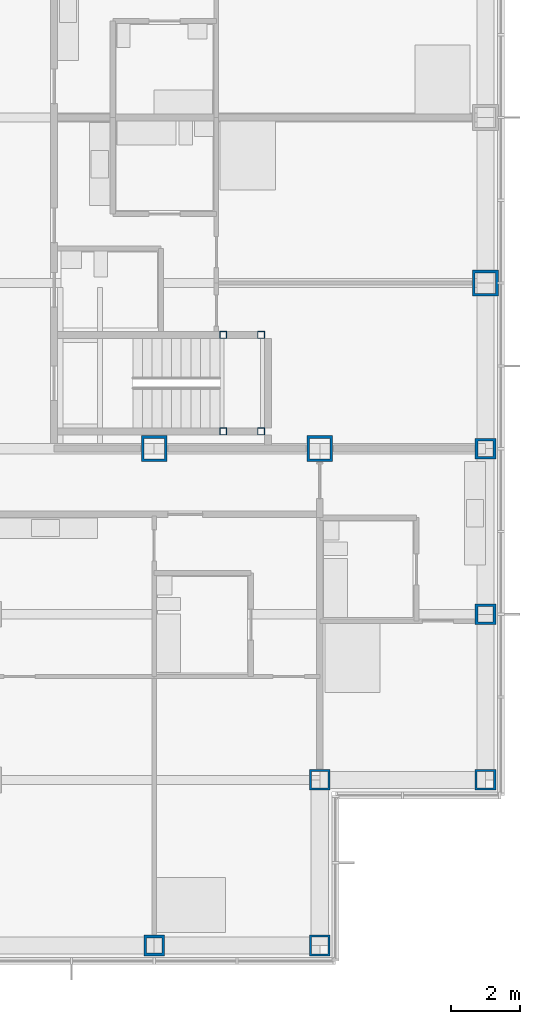
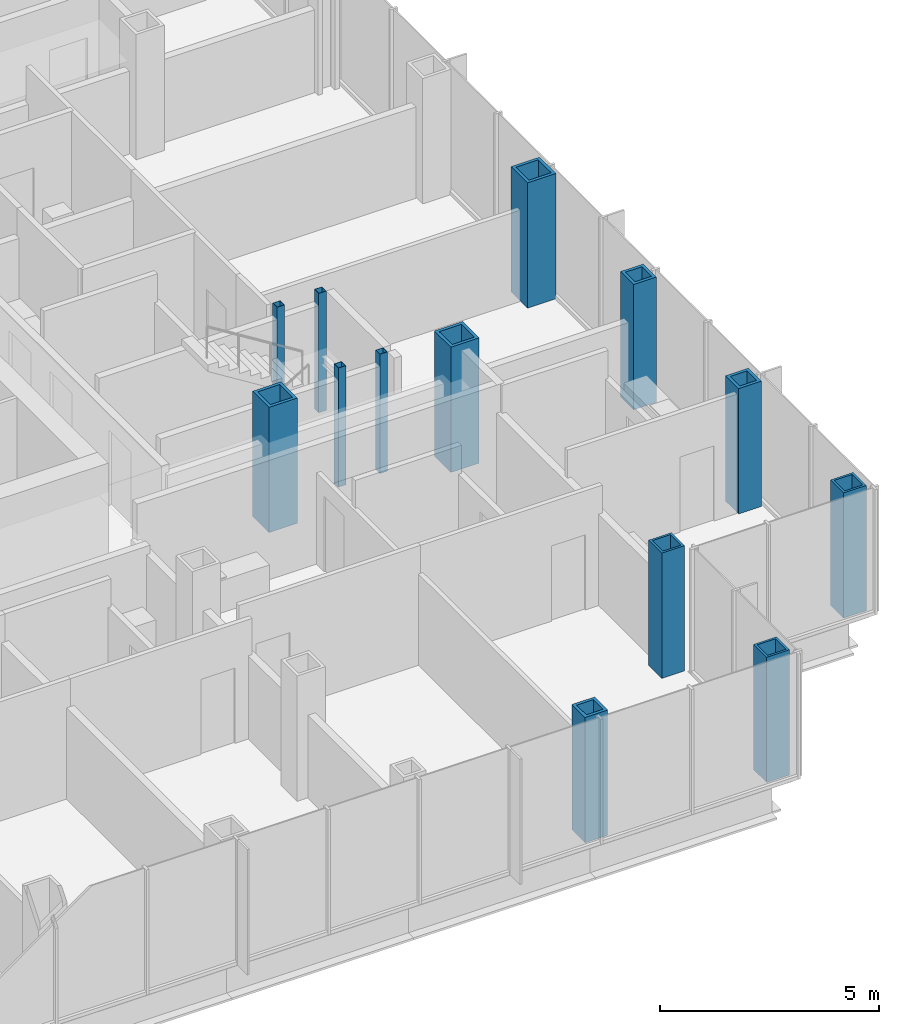
# One storey, part 4 of 21: 13 columns.
"""IFC4 building model written with IfcOpenShell, lengths in metres."""

from ifc_helpers import new_model, si_unit, direction, frame, origin, origin_2d, place, context, subcontext, project, spatial, hollow_rectangle, extrude, material, material_profile, profile_set, type_object, element, save


model = new_model("IFC4")

# Units and contexts
model_context = context("Model", 3, precision=1e-05, world=origin(), true_north=direction((0.0, 1.0)))
body_context = subcontext(model_context, "Body", "Model", "MODEL_VIEW")
ifc_project = project(units=[si_unit("LENGTHUNIT", "METRE"), si_unit("AREAUNIT", "SQUARE_METRE"), si_unit("VOLUMEUNIT", "CUBIC_METRE"), si_unit("PLANEANGLEUNIT", "RADIAN"), si_unit("MASSUNIT", "GRAM", prefix="KILO")], contexts=[model_context])

# Site, building, storey
site_placement = place(None, origin())
site = spatial("IfcSite", under=ifc_project, at=site_placement, CompositionType="ELEMENT")
building_placement = place(site_placement, origin())
building = spatial("IfcBuilding", under=site, at=building_placement, Name="Kvirike Care Tower", CompositionType="ELEMENT")
storey_placement = place(building_placement, frame((0.0, 0.0, 44.5)))
storey = spatial("IfcBuildingStorey", under=building, at=storey_placement, Name="L11", CompositionType="ELEMENT", Elevation=44.5)

# Columns
ifc_material_1 = material(Name="Steel S460", Category="steel")
ifc_material_profile_1 = material_profile(ifc_material_1, hollow_rectangle(XDim=0.60009765625, YDim=0.60009765625, WallThickness=0.06005859375, at=origin_2d()), Name="BX 600x600x60")
ifc_profile_set_1 = profile_set([ifc_material_profile_1], Name="Steel S460")
column_type_1 = type_object("IfcColumnType", Name="COLUMN BX 600x600x60", PredefinedType="COLUMN", material=ifc_profile_set_1)
for number, where, z_axis, x_axis, name in (
    (1, (38.39990234375, 14.39990234375, 0.0), (0.0, 0.0, 1.0), (0.0, 1.0, 0.0), "Column D11 L11"),
    (2, (38.39990234375, 19.199951171875, 0.0), (0.0, 0.0, 1.0), (0.0, 1.0, 0.0), "Column E11 L11"),
    (3, (43.199951171875, 19.199951171875, 0.0), (0.0, 0.0, 1.0), (0.0, 1.0, 0.0), "Column E12 L11"),
):
    element("IfcColumn", number, at=place(storey_placement, frame(where, z_axis=z_axis, x_axis=x_axis)), inside=storey, type_object=column_type_1, Name=name, PredefinedType="COLUMN", context=body_context, shape_type="SweptSolid", body=[
        extrude(hollow_rectangle(XDim=0.60009765625, YDim=0.60009765625, WallThickness=0.06005859375, at=origin_2d()), origin(), (0.0, 0.0, 1.0), 3.5),
    ])
ifc_material_2 = material(Name="Steel S460", Category="steel")
ifc_material_profile_2 = material_profile(ifc_material_2, hollow_rectangle(XDim=0.60009765625, YDim=0.60009765625, WallThickness=0.080078125, at=origin_2d()), Name="BX 600x600x80")
ifc_profile_set_2 = profile_set([ifc_material_profile_2], Name="Steel S460")
column_type_2 = type_object("IfcColumnType", Name="COLUMN BX 600x600x80", PredefinedType="COLUMN", material=ifc_profile_set_2)
for number, where, z_axis, x_axis, name in (
    (4, (33.60009765625, 14.39990234375, 0.0), (0.0, 0.0, 1.0), (0.0, 1.0, 0.0), "Column D10 L11"),
    (5, (43.199951171875, 24.0, 0.0), (0.0, 0.0, 1.0), (1.0, 0.0, 0.0), "Column F12 L11"),
    (6, (43.199951171875, 28.800048828125, 0.0), (0.0, 0.0, 1.0), (0.0, 1.0, 0.0), "Column G12 L11"),
):
    element("IfcColumn", number, at=place(storey_placement, frame(where, z_axis=z_axis, x_axis=x_axis)), inside=storey, type_object=column_type_2, Name=name, PredefinedType="COLUMN", context=body_context, shape_type="SweptSolid", body=[
        extrude(hollow_rectangle(XDim=0.60009765625, YDim=0.60009765625, WallThickness=0.080078125, at=origin_2d()), origin(), (0.0, 0.0, 1.0), 3.5),
    ])
ifc_material_3 = material(Name="Steel S460", Category="steel")
ifc_material_profile_3 = material_profile(ifc_material_3, hollow_rectangle(XDim=0.75, YDim=0.75, WallThickness=0.080078125, at=origin_2d()), Name="BX 750x750x80")
ifc_profile_set_3 = profile_set([ifc_material_profile_3], Name="Steel S460")
column_type_3 = type_object("IfcColumnType", Name="COLUMN BX 750x750x80", PredefinedType="COLUMN", material=ifc_profile_set_3)
for number, where, z_axis, x_axis, name in (
    (7, (33.60009765625, 28.800048828125, 0.0), (0.0, 0.0, 1.0), (0.0, 1.0, 0.0), "Column G10 L11"),
    (8, (38.39990234375, 28.800048828125, 0.0), (0.0, 0.0, 1.0), (0.0, 1.0, 0.0), "Column G11 L11"),
    (9, (43.199951171875, 33.60009765625, 0.0), (0.0, 0.0, 1.0), (1.0, 0.0, 0.0), "Column H12 L11"),
):
    element("IfcColumn", number, at=place(storey_placement, frame(where, z_axis=z_axis, x_axis=x_axis)), inside=storey, type_object=column_type_3, Name=name, PredefinedType="COLUMN", context=body_context, shape_type="SweptSolid", body=[
        extrude(hollow_rectangle(XDim=0.75, YDim=0.75, WallThickness=0.080078125, at=origin_2d()), origin(), (0.0, 0.0, 1.0), 3.5),
    ])
ifc_material_4 = material(Name="Steel S460", Category="steel")
ifc_material_profile_4 = material_profile(ifc_material_4, hollow_rectangle(XDim=0.199951171875, YDim=0.199951171875, WallThickness=0.008056640625, at=origin_2d()), Name="SHS 200x200x8")
ifc_profile_set_4 = profile_set([ifc_material_profile_4], Name="Steel S460")
column_type_4 = type_object("IfcColumnType", Name="STAIR POST SHS 200x200x8", PredefinedType="COLUMN", material=ifc_profile_set_4)
for number, where, z_axis, x_axis, name in (
    (10, (36.699951171875, 29.300048828125, 0.0), (0.0, 0.0, 1.0), (1.0, 0.0, 0.0), "Stair 2 post 1 L11"),
    (11, (36.699951171875, 32.10009765625, 0.0), (0.0, 0.0, 1.0), (1.0, 0.0, 0.0), "Stair 2 post 2 L11"),
    (12, (35.60009765625, 29.300048828125, 0.0), (0.0, 0.0, 1.0), (1.0, 0.0, 0.0), "Stair 2 post 3 L11"),
    (13, (35.60009765625, 32.10009765625, 0.0), (0.0, 0.0, 1.0), (1.0, 0.0, 0.0), "Stair 2 post 4 L11"),
):
    element("IfcColumn", number, at=place(storey_placement, frame(where, z_axis=z_axis, x_axis=x_axis)), inside=storey, type_object=column_type_4, Name=name, PredefinedType="COLUMN", context=body_context, shape_type="SweptSolid", body=[
        extrude(hollow_rectangle(XDim=0.199951171875, YDim=0.199951171875, WallThickness=0.008056640625, at=origin_2d()), origin(), (0.0, 0.0, 1.0), 3.330078125),
    ])

save(model, "model.ifc")
